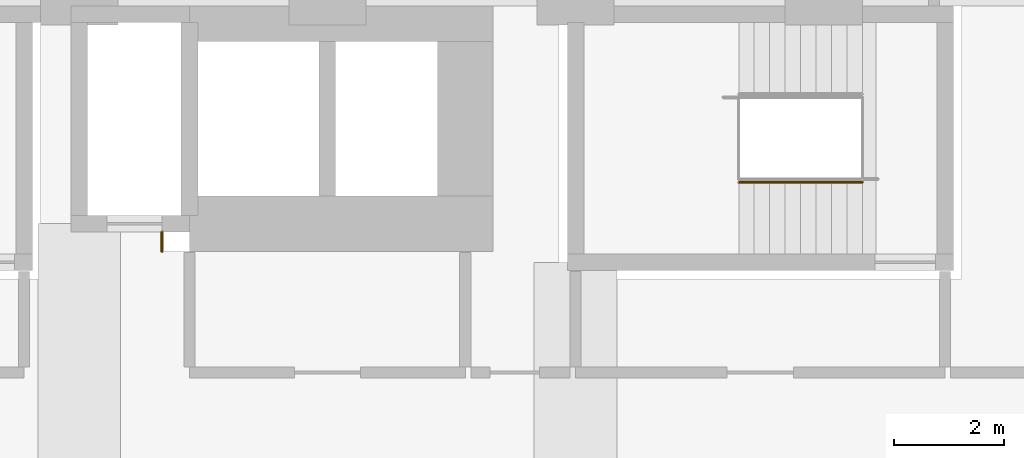
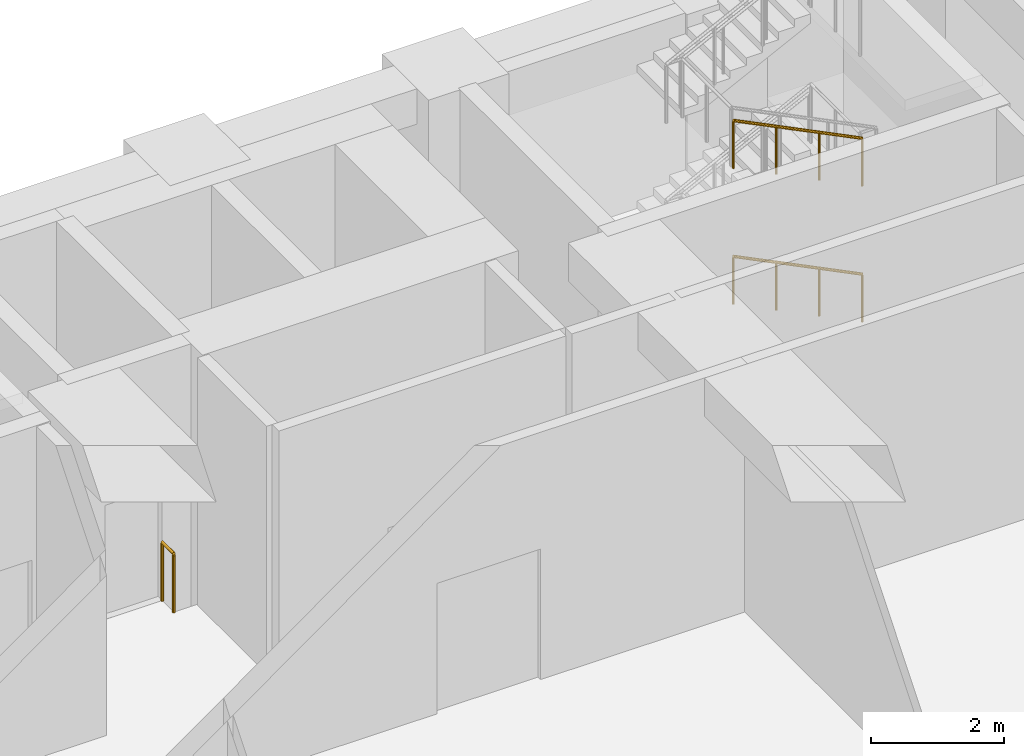
# One storey, part 30 of 34: 3 railings.
"""IFC4 building model written with IfcOpenShell, lengths in metres."""

from ifc_helpers import new_model, si_unit, direction, frame, origin, origin_2d, place, context, subcontext, project, spatial, circle, extrude, material, type_object, element, save


model = new_model("IFC4")

# Units and contexts
model_context = context("Model", 3, precision=1e-05, world=origin(), true_north=direction((0.0, 1.0)))
body_context = subcontext(model_context, "Body", "Model", "MODEL_VIEW")
ifc_project = project(units=[si_unit("LENGTHUNIT", "METRE"), si_unit("AREAUNIT", "SQUARE_METRE"), si_unit("VOLUMEUNIT", "CUBIC_METRE"), si_unit("PLANEANGLEUNIT", "RADIAN"), si_unit("MASSUNIT", "GRAM", prefix="KILO")], contexts=[model_context])

# Site, building, storey
site_placement = place(None, origin())
site = spatial("IfcSite", under=ifc_project, at=site_placement, CompositionType="ELEMENT")
building_placement = place(site_placement, origin())
building = spatial("IfcBuilding", under=site, at=building_placement, Name="Firuza Court", CompositionType="ELEMENT")
storey_placement = place(building_placement, frame((0.0, 0.0, 19.0)))
storey = spatial("IfcBuildingStorey", under=building, at=storey_placement, Name="L03", CompositionType="ELEMENT", Elevation=19.0)

# Railings
ifc_material_1 = material(Name="Steel S355", Category="steel")
railing_type_1 = type_object("IfcRailingType", Name="Handrail 900", PredefinedType="HANDRAIL", material=ifc_material_1)
for number, where, name in (
    (1, (59.199951171875, 54.949951171875, 0.138916015625), "Handrail S4 flight 1"),
    (2, (59.199951171875, 54.949951171875, 2.638916015625), "Handrail S4 flight 3"),
):
    element("IfcRailing", number, at=place(storey_placement, frame(where)), inside=storey, type_object=railing_type_1, Name=name, PredefinedType="HANDRAIL", context=body_context, shape_type="SweptSolid", body=[
        extrude(circle(Radius=0.02490234375, at=origin_2d()), frame((0.0, 0.0, 0.875), z_axis=(-0.895848192791, 0.0, 0.444360231651), x_axis=(0.0, -1.0, 0.0)), (0.0, 0.0, 1.0), 2.50048828125),
        extrude(circle(Radius=0.02001953125, at=origin_2d()), origin(), (0.0, 0.0, 1.0), 0.849853515625),
        extrude(circle(Radius=0.02001953125, at=origin_2d()), frame((-0.74658203125, 0.0, 0.370361328125)), (0.0, 0.0, 1.0), 0.849853515625),
        extrude(circle(Radius=0.02001953125, at=origin_2d()), frame((-1.493408203125, 0.0, 0.74072265625)), (0.0, 0.0, 1.0), 0.849853515625),
        extrude(circle(Radius=0.02001953125, at=origin_2d()), frame((-2.239990234375, 0.0, 1.111083984375)), (0.0, 0.0, 1.0), 0.849853515625),
    ])
ifc_material_2 = material(Name="Steel S355", Category="steel")
railing_type_2 = type_object("IfcRailingType", Name="Slab opening guard 1100", PredefinedType="GUARDRAIL", material=ifc_material_2)
railing_placement = place(storey_placement, frame((46.5, 54.050048828125, 0.0)))
element("IfcRailing", 3, at=railing_placement, inside=storey, type_object=railing_type_2, Name="Slab opening guard", PredefinedType="GUARDRAIL", context=body_context, shape_type="SweptSolid", body=[
    extrude(circle(Radius=0.02490234375, at=origin_2d()), frame((0.0, 0.0, 1.0751953125), z_axis=(0.0, -1.0, 0.0), x_axis=(1.0, 0.0, 0.0)), (0.0, 0.0, 1.0), 0.35009765625),
    extrude(circle(Radius=0.02490234375, at=origin_2d()), origin(), (0.0, 0.0, 1.0), 1.050048828125),
    extrude(circle(Radius=0.02490234375, at=origin_2d()), frame((0.0, -0.35009765625, 0.0)), (0.0, 0.0, 1.0), 1.050048828125),
])

save(model, "model.ifc")
